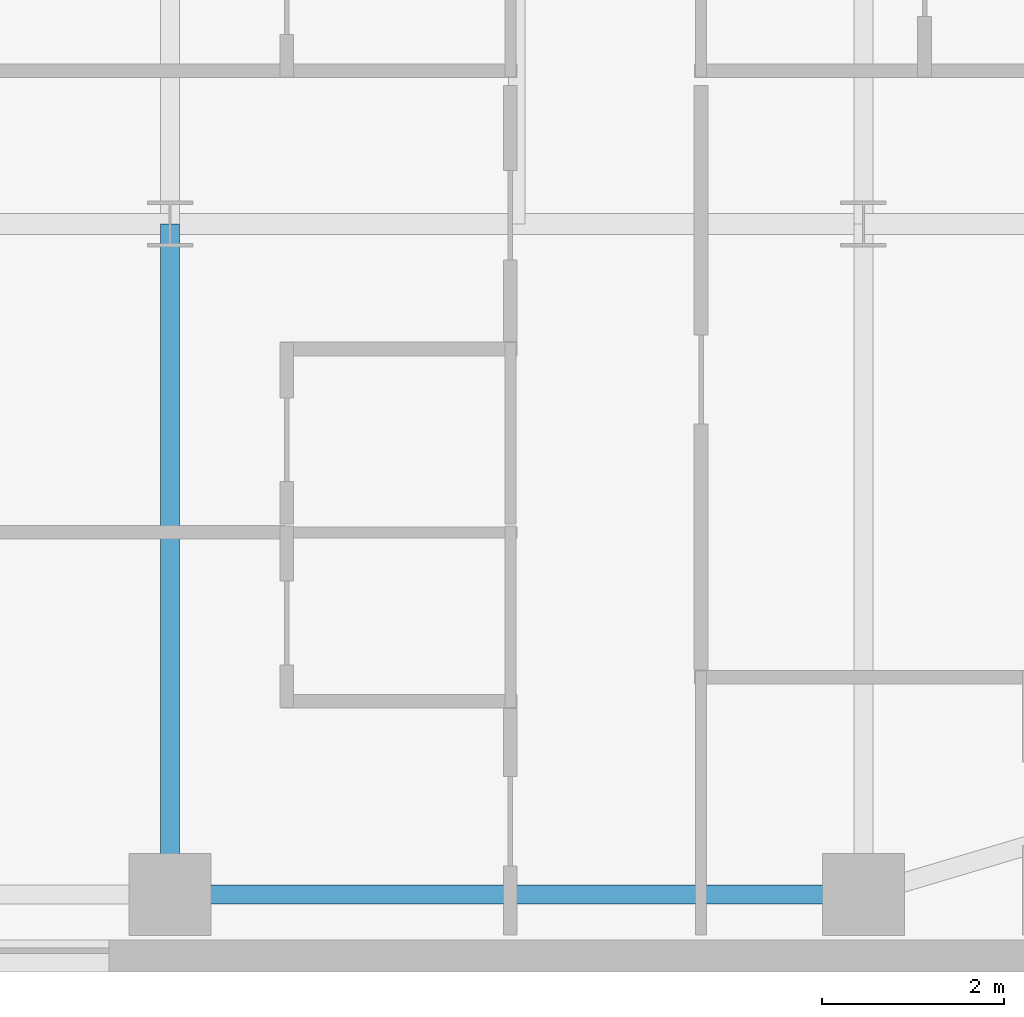
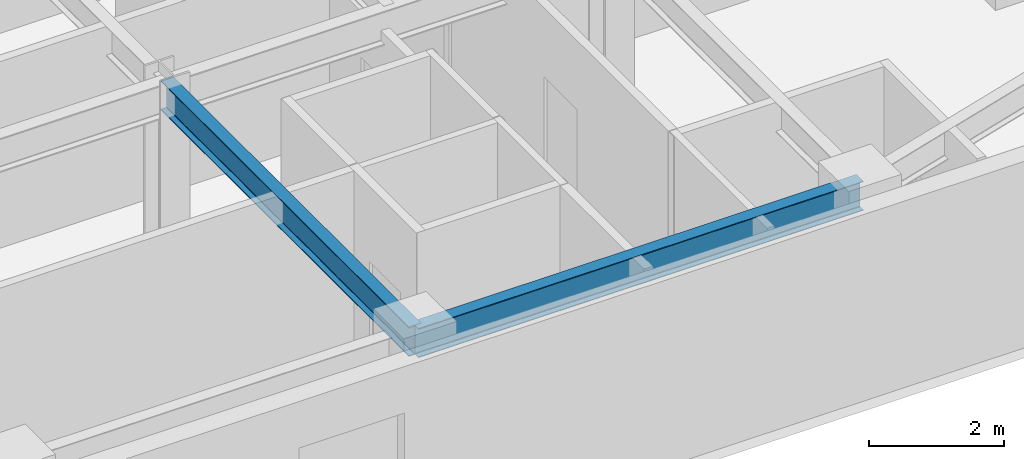
# One storey, part 6 of 16: 2 beams.
"""IFC4 building model written with IfcOpenShell, lengths in metres."""

import ifcopenshell
import ifcopenshell.guid

model = None  # the IFC model being written
_history = None  # IfcOwnerHistory: only IFC2X3 demands one
_inside = {}  # id of a spatial element -> (the spatial element, [elements in it])
_under = {}  # id of a project, library or spatial element -> (it, [spatial elements below it])
_declared = {}  # id of a project -> (the project, [libraries it declares])
_typed = {}  # id of a type object -> (the type object, [elements of that type])
_made_of = {}  # id of a material, layer set ... -> (it, [elements and type objects made of it])


def new_model(schema):
    """Start an empty IFC model of exactly this schema.

    Asked for "IFC4X3", IfcOpenShell would pick the latest addendum, in which some entities
    have other attributes; the version numbers below select the first issue.
    IFC2X3 requires an IfcOwnerHistory on every rooted entity: one is made here for all.
    """
    global model, _history
    if schema == "IFC4X3":
        model = ifcopenshell.file(schema_version=(4, 3, 0, 0))
    else:
        model = ifcopenshell.file(schema=schema)
    _inside.clear()
    _under.clear()
    _declared.clear()
    _typed.clear()
    _made_of.clear()
    _history = None
    if model.schema == "IFC2X3":
        org = make("IfcOrganization", Name="unknown")
        user = make(
            "IfcPersonAndOrganization",
            ThePerson=make("IfcPerson", FamilyName="unknown"),
            TheOrganization=org,
        )
        app = make(
            "IfcApplication",
            ApplicationDeveloper=org,
            Version="unknown",
            ApplicationFullName="unknown",
            ApplicationIdentifier="unknown",
        )
        _history = make(
            "IfcOwnerHistory",
            OwningUser=user,
            OwningApplication=app,
            ChangeAction="ADDED",
            CreationDate=0,
        )
    return model


def make(cls, **values):
    """One entity of the class cls with the attributes given. An attribute that is None is left unset."""
    return model.create_entity(
        cls, **{name: value for name, value in values.items() if value is not None}
    )


def rooted(cls, **values):
    """An entity with a GlobalId (a new one), such as an element, a storey or a relation."""
    return make(cls, GlobalId=ifcopenshell.guid.new(), OwnerHistory=_history, **values)


def si_unit(unit_type, name, prefix=None):
    """IfcSIUnit, for example si_unit("LENGTHUNIT", "METRE", prefix="MILLI")."""
    return make("IfcSIUnit", UnitType=unit_type, Prefix=prefix, Name=name)


def assignment(units):
    """IfcUnitAssignment: the units of a project."""
    return None if units is None else make("IfcUnitAssignment", Units=units)


def point(xyz):
    """IfcCartesianPoint."""
    return None if xyz is None else make("IfcCartesianPoint", Coordinates=xyz)


def direction(xyz):
    """IfcDirection."""
    return None if xyz is None else make("IfcDirection", DirectionRatios=xyz)


def frame(location, z_axis=None, x_axis=None):
    """IfcAxis2Placement3D, a coordinate frame: its origin and axes. An axis left out is left unset."""
    return make(
        "IfcAxis2Placement3D",
        Location=point(location),
        Axis=direction(z_axis),
        RefDirection=direction(x_axis),
    )


def frame_2d(location, x_axis=None):
    """IfcAxis2Placement2D, a coordinate frame in the plane: its origin and x axis."""
    return make(
        "IfcAxis2Placement2D", Location=point(location), RefDirection=direction(x_axis)
    )


def origin():
    """The frame at (0, 0, 0) with its axes left unset."""
    return frame((0.0, 0.0, 0.0))


def origin_2d():
    """The frame at (0, 0) in the plane with its x axis left unset."""
    return frame_2d((0.0, 0.0))


def place(relative_to, where):
    """IfcLocalPlacement: puts the frame where relative to a parent placement (None: the world)."""
    return make(
        "IfcLocalPlacement", PlacementRelTo=relative_to, RelativePlacement=where
    )


def context(
    kind, dimensions, precision=None, world=None, true_north=None, identifier=None
):
    """IfcGeometricRepresentationContext, for example the 3D "Model" context."""
    return make(
        "IfcGeometricRepresentationContext",
        ContextIdentifier=identifier,
        ContextType=kind,
        CoordinateSpaceDimension=dimensions,
        Precision=precision,
        WorldCoordinateSystem=world,
        TrueNorth=true_north,
    )


def subcontext(parent, identifier, kind, view, scale=None):
    """IfcGeometricRepresentationSubContext, for example "Body" below "Model"."""
    return make(
        "IfcGeometricRepresentationSubContext",
        ContextIdentifier=identifier,
        ContextType=kind,
        ParentContext=parent,
        TargetScale=scale,
        TargetView=view,
    )


def project(units=None, contexts=None):
    """IfcProject with its units and contexts."""
    return rooted(
        "IfcProject",
        Name="project",
        RepresentationContexts=contexts,
        UnitsInContext=assignment(units),
    )


def spatial(cls, under=None, at=None, **own):
    """A site, building, storey or space (cls), placed at a placement, below another one or the project."""
    s = rooted(cls, ObjectPlacement=at, **own)
    if under is not None:
        _under.setdefault(under.id(), (under, []))[1].append(s)
    return s


def profile(cls, at=None, kind="AREA", **sizes):
    """A parametric profile (cls). Its sizes go by their IFC names, for example OverallWidth=200.0."""
    return make(cls, ProfileType=kind, Position=at, **sizes)


def i_section(**sizes):
    """IfcIShapeProfileDef."""
    return profile("IfcIShapeProfileDef", **sizes)


def extrude(swept, where, along, depth):
    """IfcExtrudedAreaSolid: the profile swept, set in the frame where, extruded along a direction by depth."""
    return make(
        "IfcExtrudedAreaSolid",
        SweptArea=swept,
        Position=where,
        ExtrudedDirection=direction(along),
        Depth=depth,
    )


def shape(context_of_items, identifier, shape_type, items):
    """IfcShapeRepresentation: the items that make up one representation, for example the "Body"."""
    return make(
        "IfcShapeRepresentation",
        ContextOfItems=context_of_items,
        RepresentationIdentifier=identifier,
        RepresentationType=shape_type,
        Items=items,
    )


def source(mapping_origin, context_of_items, identifier, shape_type, items):
    """IfcRepresentationMap: a shape defined once, which mapped items show again and again."""
    return make(
        "IfcRepresentationMap",
        MappingOrigin=mapping_origin,
        MappedRepresentation=shape(context_of_items, identifier, shape_type, items),
    )


def transform(
    local_origin,
    x_axis=None,
    y_axis=None,
    z_axis=None,
    scale=None,
    scale2=None,
    scale3=None,
    uniform=True,
):
    """IfcCartesianTransformationOperator3D, or its non-uniform kind. x_axis, y_axis, z_axis: its Axis1, 2, 3."""
    if uniform:
        return make(
            "IfcCartesianTransformationOperator3D",
            Axis1=direction(x_axis),
            Axis2=direction(y_axis),
            LocalOrigin=point(local_origin),
            Scale=scale,
            Axis3=direction(z_axis),
        )
    return make(
        "IfcCartesianTransformationOperator3DnonUniform",
        Axis1=direction(x_axis),
        Axis2=direction(y_axis),
        LocalOrigin=point(local_origin),
        Scale=scale,
        Axis3=direction(z_axis),
        Scale2=scale2,
        Scale3=scale3,
    )


def mapped(mapping_source, mapping_target):
    """IfcMappedItem: shows the shape of a source again, moved by a transform."""
    return make(
        "IfcMappedItem", MappingSource=mapping_source, MappingTarget=mapping_target
    )


def material(Name=None, Category=None):
    """IfcMaterial."""
    return make("IfcMaterial", Name=Name, Category=Category)


def material_profile(
    of_material, cross_section, Name=None, Category=None, Priority=None
):
    """IfcMaterialProfile: a cross section and its material."""
    return make(
        "IfcMaterialProfile",
        Name=Name,
        Material=of_material,
        Profile=cross_section,
        Priority=Priority,
        Category=Category,
    )


def profile_set(profiles, Name=None, composite=None):
    """IfcMaterialProfileSet."""
    return make(
        "IfcMaterialProfileSet",
        Name=Name,
        MaterialProfiles=profiles,
        CompositeProfile=composite,
    )


def made_of(thing, what):
    """Note that an element or type object is made of a material, layer set ...; save() writes the relation."""
    if what is not None:
        _made_of.setdefault(what.id(), (what, []))[1].append(thing)
    return thing


def type_object(cls, material=None, **own):
    """A type object (cls), such as IfcWallType, which elements share."""
    return made_of(rooted(cls, **own), material)


def type_shapes(of_type, sources):
    """Give a type object the sources (RepresentationMaps) that its elements show as mapped items."""
    of_type.RepresentationMaps = sources


def element(
    cls,
    number,
    at=None,
    inside=None,
    cuts=None,
    type_object=None,
    material=None,
    context=None,
    identifier="Body",
    shape_type=None,
    held_by="IfcProductDefinitionShape",
    body=None,
    shapes=None,
    **own,
):
    """One element of the class cls, such as IfcWall. Its Tag is "e" and its number.

    at: its placement. inside: the storey or other place that contains it. cuts: it is an
    opening in that element (IfcRelVoidsElement). A single representation is given by context,
    identifier, shape_type and body (its items); several are given by shapes. held_by: the class
    of the entity that holds the representations. save() writes the other relations.
    """
    e = rooted(cls, Tag="e%d" % number, ObjectPlacement=at, **own)
    if body is not None:
        shapes = [shape(context, identifier, shape_type, body)]
    if shapes is not None:
        e.Representation = make(held_by, Representations=shapes)
    if inside is not None:
        _inside.setdefault(inside.id(), (inside, []))[1].append(e)
    if cuts is not None:
        rooted(
            "IfcRelVoidsElement", RelatingBuildingElement=cuts, RelatedOpeningElement=e
        )
    if type_object is not None:
        _typed.setdefault(type_object.id(), (type_object, []))[1].append(e)
    return made_of(e, material)


def aggregate(whole, parts):
    """IfcRelAggregates: a whole, such as a stair, and the parts it consists of."""
    return rooted("IfcRelAggregates", RelatingObject=whole, RelatedObjects=parts)


def save(model, path):
    """Write the relations noted so far, then the file.

    IfcRelAggregates (storeys below a building ...), IfcRelContainedInSpatialStructure (elements
    in a storey), IfcRelDefinesByType, IfcRelAssociatesMaterial and IfcRelDeclares: one each for
    every whole, place, type object, material and project.
    """
    for whole, parts in _under.values():
        aggregate(whole, parts)
    for where, things in _inside.values():
        rooted(
            "IfcRelContainedInSpatialStructure",
            RelatedElements=things,
            RelatingStructure=where,
        )
    for kind, things in _typed.values():
        rooted("IfcRelDefinesByType", RelatedObjects=things, RelatingType=kind)
    for what, things in _made_of.values():
        rooted("IfcRelAssociatesMaterial", RelatedObjects=things, RelatingMaterial=what)
    for by, libraries in _declared.values():
        rooted("IfcRelDeclares", RelatingContext=by, RelatedDefinitions=libraries)
    model.write(path)


model = new_model("IFC4")

# Units and contexts
model_context = context("Model", 3, precision=1e-05, world=origin(), true_north=direction((0.0, 1.0)))
body_context = subcontext(model_context, "Body", "Model", "MODEL_VIEW")
ifc_project = project(units=[si_unit("LENGTHUNIT", "METRE"), si_unit("AREAUNIT", "SQUARE_METRE"), si_unit("VOLUMEUNIT", "CUBIC_METRE"), si_unit("PLANEANGLEUNIT", "RADIAN"), si_unit("MASSUNIT", "GRAM", prefix="KILO")], contexts=[model_context])

# Site, building, storey
site_placement = place(None, origin())
site = spatial("IfcSite", under=ifc_project, at=site_placement, CompositionType="ELEMENT")
building_placement = place(site_placement, origin())
building = spatial("IfcBuilding", under=site, at=building_placement, Name="Tolvann Quenvar Hotel", CompositionType="ELEMENT")
storey_placement = place(building_placement, frame((0.0, 0.0, 115.10009765625)))
storey = spatial("IfcBuildingStorey", under=building, at=storey_placement, Name="L29", CompositionType="ELEMENT", Elevation=115.10009765625)

# Beams
ifc_material = material(Name="Steel Grade 350", Category="steel")
ifc_material_profile_1 = material_profile(ifc_material, i_section(OverallWidth=0.208984375, OverallDepth=0.528076171875, WebThickness=0.009521484375, FlangeThickness=0.01318359375, FilletRadius=0.013916015625, at=origin_2d()), Name="530UB82")
ifc_profile_set_1 = profile_set([ifc_material_profile_1], Name="Steel Grade 350")
beam_type_1 = type_object("IfcBeamType", Name="BM_SPAND_530UB82", PredefinedType="SPANDREL", material=ifc_profile_set_1)
shared_shape_1 = source(origin(), body_context, "Body", "SweptSolid", [
    extrude(i_section(OverallWidth=0.208984375, OverallDepth=0.528076171875, WebThickness=0.009521484375, FlangeThickness=0.01318359375, FilletRadius=0.013916015625, at=origin_2d()), origin(), (0.0, 0.0, 1.0), 7.599853515625),
])
type_shapes(beam_type_1, [shared_shape_1])
beam_1_placement = place(storey_placement, frame((41.800048828125, 0.85009765625, 3.10595703125), z_axis=(1.0, 0.0, 0.0), x_axis=(0.0, 1.0, 0.0)))
element("IfcBeam", 1, at=beam_1_placement, inside=storey, type_object=beam_type_1, Name="BM-L29-EW-2-H2-I2", PredefinedType="SPANDREL", context=body_context, shape_type="MappedRepresentation", body=[
    mapped(shared_shape_1, transform((0.0, 0.0, 0.0), x_axis=(1.0, 0.0, 0.0), y_axis=(0.0, 1.0, 0.0), z_axis=(0.0, 0.0, 1.0), scale=1.0)),
])
ifc_material_profile_2 = material_profile(ifc_material, i_section(OverallWidth=0.208984375, OverallDepth=0.532958984375, WebThickness=0.01025390625, FlangeThickness=0.015625, FilletRadius=0.013916015625, at=origin_2d()), Name="530UB92")
ifc_profile_set_2 = profile_set([ifc_material_profile_2], Name="Steel Grade 350")
beam_type_2 = type_object("IfcBeamType", Name="BM_GIRD_530UB92", PredefinedType="BEAM", material=ifc_profile_set_2)
shared_shape_2 = source(origin(), body_context, "Body", "SweptSolid", [
    extrude(i_section(OverallWidth=0.208984375, OverallDepth=0.532958984375, WebThickness=0.01025390625, FlangeThickness=0.015625, FilletRadius=0.013916015625, at=origin_2d()), origin(), (0.0, 0.0, 1.0), 7.349853515625),
])
type_shapes(beam_type_2, [shared_shape_2])
beam_2_placement = place(storey_placement, frame((41.800048828125, 0.85009765625, 3.103515625), z_axis=(0.0, 1.0, 0.0), x_axis=(-1.0, 0.0, 0.0)))
element("IfcBeam", 2, at=beam_2_placement, inside=storey, type_object=beam_type_2, Name="BM-L29-NS-H2-H3", PredefinedType="BEAM", context=body_context, shape_type="MappedRepresentation", body=[
    mapped(shared_shape_2, transform((0.0, 0.0, 0.0), x_axis=(1.0, 0.0, 0.0), y_axis=(0.0, 1.0, 0.0), z_axis=(0.0, 0.0, 1.0), scale=1.0)),
])

save(model, "model.ifc")
